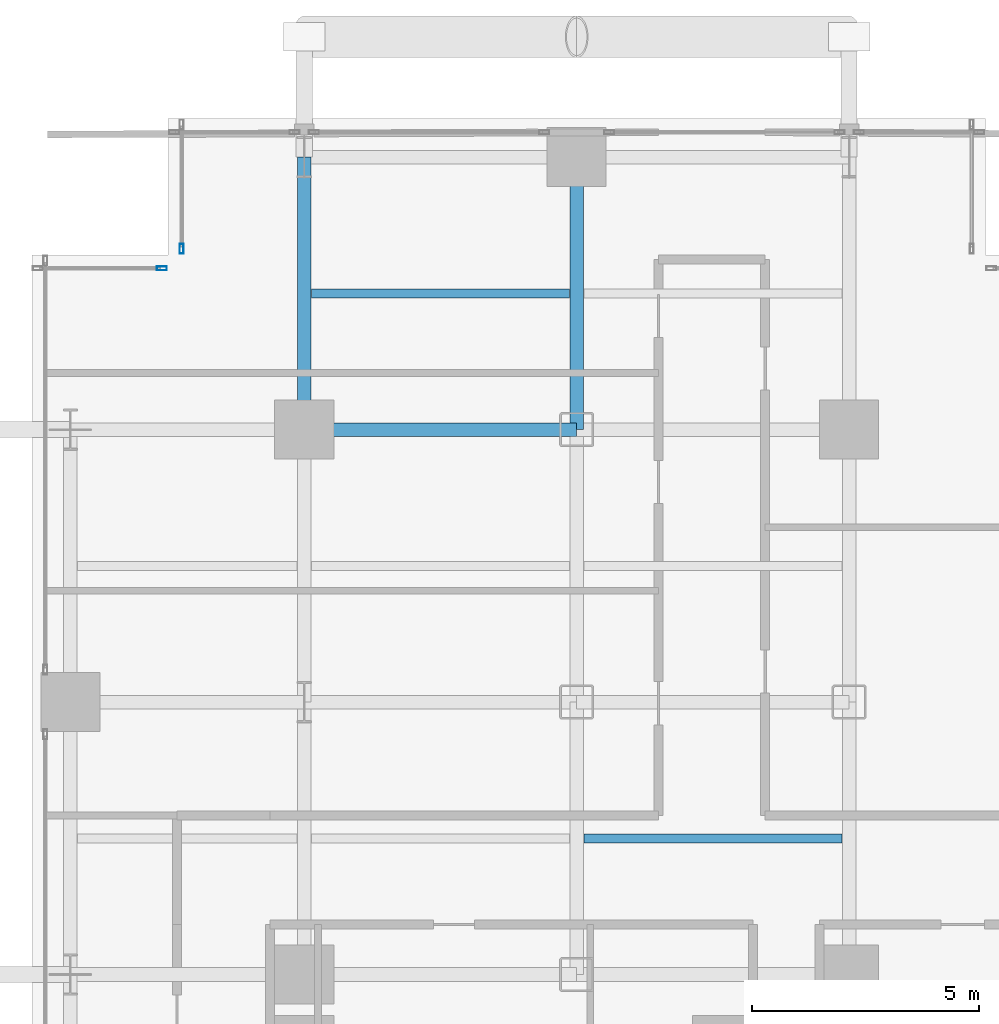
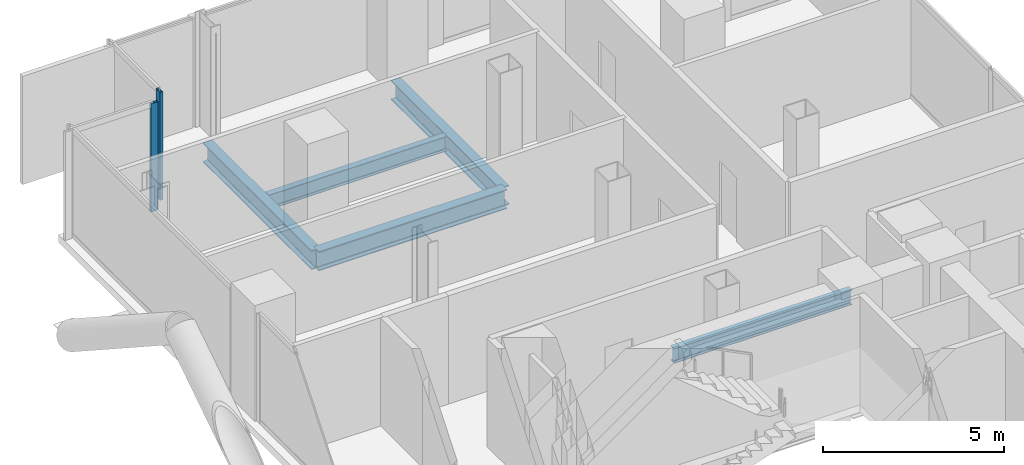
# One storey, part 14 of 25: 5 beams, 2 members, 2 elements without a shape of their own.
"""IFC4 building model written with IfcOpenShell, lengths in metres."""

from ifc_helpers import new_model, si_unit, direction, frame, origin, origin_2d, place, context, subcontext, project, spatial, hollow_rectangle, i_section, extrude, material, layer, layer_set, material_profile, profile_set, type_object, element, aggregate, save


model = new_model("IFC4")

# Units and contexts
model_context = context("Model", 3, precision=1e-05, world=origin(), true_north=direction((0.0, 1.0)))
body_context = subcontext(model_context, "Body", "Model", "MODEL_VIEW")
ifc_project = project(units=[si_unit("LENGTHUNIT", "METRE"), si_unit("AREAUNIT", "SQUARE_METRE"), si_unit("VOLUMEUNIT", "CUBIC_METRE"), si_unit("PLANEANGLEUNIT", "RADIAN"), si_unit("MASSUNIT", "GRAM", prefix="KILO"), si_unit("THERMODYNAMICTEMPERATUREUNIT", "KELVIN"), si_unit("POWERUNIT", "WATT")], contexts=[model_context])

# Site, building, storey
site_placement = place(None, origin())
site = spatial("IfcSite", under=ifc_project, at=site_placement, CompositionType="ELEMENT")
building_placement = place(site_placement, origin())
building = spatial("IfcBuilding", under=site, at=building_placement, Name="Svarakhadi Broadcast Tower", CompositionType="ELEMENT")
storey_placement = place(building_placement, frame((0.0, 0.0, 63.60009765625)))
storey = spatial("IfcBuildingStorey", under=building, at=storey_placement, Name="L14", CompositionType="ELEMENT", Elevation=63.60009765625)

# Beams
ifc_material_1 = material(Name="Steel S355J2 (IS 2062 E350C)", Category="steel")
ifc_material_profile_1 = material_profile(ifc_material_1, i_section(OverallWidth=0.199951171875, OverallDepth=0.5, WebThickness=0.01025390625, FlangeThickness=0.01611328125, FilletRadius=0.02099609375, at=origin_2d()), Name="NPB 500x200x91")
ifc_profile_set_1 = profile_set([ifc_material_profile_1], Name="Steel S355J2 (IS 2062 E350C)")
beam_type_1 = type_object("IfcBeamType", Name="Beam_NPB500", PredefinedType="BEAM", material=ifc_profile_set_1)
for number, where, z_axis, x_axis, name in (
    (1, (6.159912109375, 44.14990234375, -0.5), (1.0, 0.0, 0.0), (0.0, 1.0, 0.0), "L14 Secondary Composite Beam SB012"),
    (2, (12.159912109375, 32.14990234375, -0.5), (1.0, 0.0, 0.0), (0.0, 1.0, 0.0), "L14 Secondary Composite Beam SB016"),
):
    element("IfcBeam", number, at=place(storey_placement, frame(where, z_axis=z_axis, x_axis=x_axis)), inside=storey, type_object=beam_type_1, Name=name, PredefinedType="BEAM", context=body_context, shape_type="SweptSolid", body=[
        extrude(i_section(OverallWidth=0.199951171875, OverallDepth=0.5, WebThickness=0.01025390625, FlangeThickness=0.01611328125, FilletRadius=0.02099609375, at=origin_2d()), origin(), (0.0, 0.0, 1.0), 5.68017578125),
    ])

# Curtain wall, member
ifc_material_2 = material(Name="Anodised Bronze Aluminium AA 6063-T6", Category="aluminium")
ifc_layer = layer(ifc_material_2, 0.219970703125)
ifc_layer_set = layer_set([ifc_layer], Name="Anodised Bronze Aluminium AA 6063-T6")
curtain_wall_type = type_object("IfcCurtainWallType", Name="CW_Sys_02", PredefinedType="NOTDEFINED", material=ifc_layer_set)
curtain_wall_1_placement = place(storey_placement, origin())
curtain_wall_1 = element("IfcCurtainWall", 3, at=curtain_wall_1_placement, inside=storey, type_object=curtain_wall_type, Name="L14 Unitised Facade Curtain Wall 04", PredefinedType="NOTDEFINED")
ifc_material_profile_2 = material_profile(ifc_material_2, hollow_rectangle(XDim=0.0849609375, YDim=0.219970703125, WallThickness=0.006103515625, at=origin_2d()), Name="ALU MULLION 220x85x6")
ifc_profile_set_2 = profile_set([ifc_material_profile_2], Name="Anodised Bronze Aluminium AA 6063-T6")
member_type = type_object("IfcMemberType", Name="CW_Sys_02_Mul", PredefinedType="MULLION", material=ifc_profile_set_2)
member_1_placement = place(storey_placement, frame((2.867431640625, 44.699951171875, 0.0), z_axis=(0.0, 0.0, 1.0), x_axis=(0.0, 1.0, 0.0)))
member_1 = element("IfcMember", 4, at=member_1_placement, type_object=member_type, Name="CW-02 mullion 2", PredefinedType="MULLION", context=body_context, shape_type="SweptSolid", body=[
    extrude(hollow_rectangle(XDim=0.0849609375, YDim=0.219970703125, WallThickness=0.006103515625, at=origin_2d()), origin(), (0.0, 0.0, 1.0), 3.64990234375),
])
aggregate(curtain_wall_1, [member_1])

curtain_wall_2_placement = place(storey_placement, origin())
curtain_wall_2 = element("IfcCurtainWall", 5, at=curtain_wall_2_placement, inside=storey, type_object=curtain_wall_type, Name="L14 Unitised Facade Curtain Wall 05", PredefinedType="NOTDEFINED")
member_2_placement = place(storey_placement, frame((3.300048828125, 45.132568359375, 0.0), z_axis=(0.0, 0.0, 1.0), x_axis=(-1.0, 0.0, 0.0)))
member_2 = element("IfcMember", 6, at=member_2_placement, type_object=member_type, Name="CW-02 mullion 1", PredefinedType="MULLION", context=body_context, shape_type="SweptSolid", body=[
    extrude(hollow_rectangle(XDim=0.0849609375, YDim=0.219970703125, WallThickness=0.006103515625, at=origin_2d()), origin(), (0.0, 0.0, 1.0), 3.64990234375),
])
aggregate(curtain_wall_2, [member_2])

# Beams
ifc_material_profile_3 = material_profile(ifc_material_1, i_section(OverallWidth=0.300048828125, OverallDepth=0.64990234375, WebThickness=0.01611328125, FlangeThickness=0.031005859375, FilletRadius=0.027099609375, at=origin_2d()), Name="WPB 650x300x225")
ifc_profile_set_3 = profile_set([ifc_material_profile_3], Name="Steel S355J2 (IS 2062 E350C)")
beam_type_2 = type_object("IfcBeamType", Name="Girder_WPB650", PredefinedType="USERDEFINED", material=ifc_profile_set_3)
for number, where, z_axis, x_axis, name in (
    (7, (6.0, 41.14990234375, -0.5751953125), (1.0, 0.0, 0.0), (0.0, 1.0, 0.0), "L14 Primary E-W Girder G041"),
    (8, (6.0, 41.14990234375, -0.5751953125), (0.0, 1.0, 0.0), (-1.0, 0.0, 0.0), "L14 Primary N-S Girder G057"),
    (9, (12.0, 41.14990234375, -0.5751953125), (0.0, 1.0, 0.0), (-1.0, 0.0, 0.0), "L14 Primary N-S Girder G063"),
):
    element("IfcBeam", number, at=place(storey_placement, frame(where, z_axis=z_axis, x_axis=x_axis)), inside=storey, type_object=beam_type_2, Name=name, ObjectType="GIRDER", PredefinedType="USERDEFINED", context=body_context, shape_type="SweptSolid", body=[
        extrude(i_section(OverallWidth=0.300048828125, OverallDepth=0.64990234375, WebThickness=0.01611328125, FlangeThickness=0.031005859375, FilletRadius=0.027099609375, at=origin_2d()), origin(), (0.0, 0.0, 1.0), 6.0),
    ])

save(model, "model.ifc")
